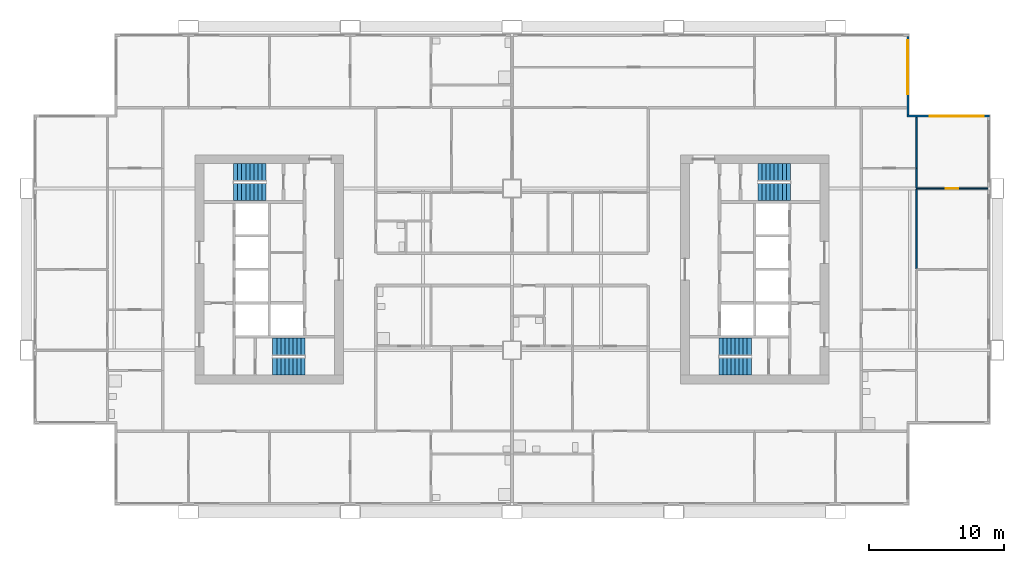
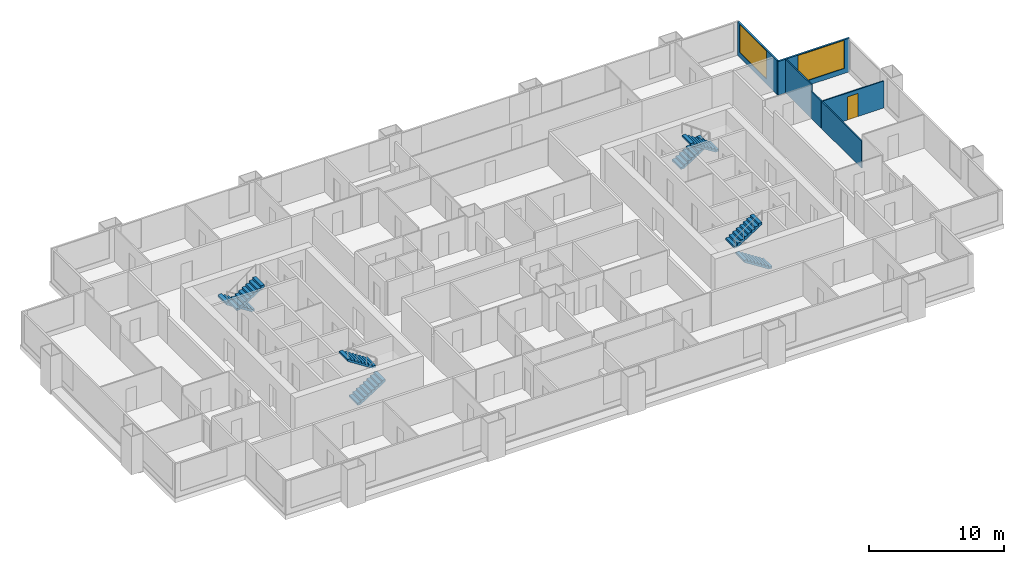
# One storey, part 9 of 11: 8 stair flights, 6 walls, 2 windows, 1 door, 3 openings, 4 elements without a shape of their own.
"""IFC4 building model written with IfcOpenShell, lengths in metres."""

from ifc_helpers import new_model, si_unit, direction, frame, frame_2d, origin, place, context, subcontext, project, spatial, polyline, rectangle, outline, extrude, material, layer, layer_set, type_object, element, fill, aggregate, save


model = new_model("IFC4")

# Units and contexts
model_context = context("Model", 3, precision=1e-05, world=origin(), true_north=direction((0.0, 1.0)))
body_context = subcontext(model_context, "Body", "Model", "MODEL_VIEW")
ifc_project = project(units=[si_unit("LENGTHUNIT", "METRE"), si_unit("AREAUNIT", "SQUARE_METRE"), si_unit("VOLUMEUNIT", "CUBIC_METRE"), si_unit("PLANEANGLEUNIT", "RADIAN"), si_unit("MASSUNIT", "GRAM", prefix="KILO")], contexts=[model_context])

# Site, building, storey
site_placement = place(None, origin())
site = spatial("IfcSite", under=ifc_project, at=site_placement, CompositionType="ELEMENT")
building_placement = place(site_placement, origin())
building = spatial("IfcBuilding", under=site, at=building_placement, Name="Kitamizu Gate Tower and Museum", CompositionType="ELEMENT")
storey_placement = place(building_placement, frame((0.0, 0.0, 100.050048828125)))
storey = spatial("IfcBuildingStorey", under=building, at=storey_placement, Name="L25", CompositionType="ELEMENT", Elevation=100.050048828125)

# Wall, opening, door
ifc_material_1 = material(Name="Gypsum board on galvanised stud")
ifc_layer_1 = layer(ifc_material_1, 0.10009765625)
ifc_layer_set_1 = layer_set([ifc_layer_1], Name="Gypsum board on galvanised stud")
wall_type_1 = type_object("IfcWallType", Name="Partition 100 NOT RATED", PredefinedType="PARTITIONING", material=ifc_layer_set_1)
wall_1_placement = place(storey_placement, frame((71.280029296875, 36.0, 0.0), z_axis=(0.0, 0.0, 1.0), x_axis=(-1.0, 0.0, 0.0)))
wall_1 = element("IfcWall", 1, at=wall_1_placement, inside=storey, type_object=wall_type_1, Name="Partition L25-079", PredefinedType="PARTITIONING", context=body_context, shape_type="SweptSolid", body=[
    extrude(rectangle(XDim=5.280029296875, YDim=0.10009765625, at=frame_2d((2.64013671875, 0.0))), origin(), (0.0, 0.0, 1.0), 2.449951171875),
])
opening_1_placement = place(wall_1_placement, frame((2.18994140625, 0.0, 0.0)))
opening_1 = element("IfcOpeningElement", 2, at=opening_1_placement, cuts=wall_1, Name="Opening L25-034", PredefinedType="OPENING", context=body_context, shape_type="SweptSolid", body=[
    extrude(rectangle(XDim=0.89990234375, YDim=2.10009765625, at=frame_2d((0.449951171875, 1.050048828125))), frame((0.0, 0.06005859375, 0.0), z_axis=(0.0, -1.0, 0.0), x_axis=(1.0, 0.0, 0.0)), (0.0, 0.0, 1.0), 0.1201171875),
])
ifc_material_2 = material(Name="Timber door set", Category="wood")
door_type = type_object("IfcDoorType", Name="Room door 900", OperationType="NOTDEFINED", PredefinedType="DOOR", material=ifc_material_2)
door_placement = place(opening_1_placement, frame((0.89990234375, 0.0, 0.0), x_axis=(-1.0, 0.0, 0.0)))
door = element("IfcDoor", 3, at=door_placement, inside=storey, type_object=door_type, Name="Door L25-034", OperationType="SINGLE_SWING_LEFT", OverallHeight=2.10009765625, OverallWidth=0.89990234375, PredefinedType="DOOR", context=body_context, shape_type="SweptSolid", body=[
    extrude(rectangle(XDim=0.89990234375, YDim=2.10009765625, at=frame_2d((0.449951171875, 1.050048828125))), frame((0.0, 0.02490234375, 0.0), z_axis=(0.0, -1.0, 0.0), x_axis=(1.0, 0.0, 0.0)), (0.0, 0.0, 1.0), 0.050048828125),
])
fill(opening_1, door)

# Walls
wall_2_placement = place(storey_placement, frame((66.0, 35.949951171875, 0.0), z_axis=(0.0, 0.0, 1.0), x_axis=(0.0, -1.0, 0.0)))
element("IfcWall", 4, at=wall_2_placement, inside=storey, type_object=wall_type_1, Name="Partition L25-080", PredefinedType="PARTITIONING", context=body_context, shape_type="SweptSolid", body=[
    extrude(rectangle(XDim=5.89990234375, YDim=0.10009765625, at=frame_2d((2.949951171875, 0.0))), origin(), (0.0, 0.0, 1.0), 2.449951171875),
])
wall_3_placement = place(storey_placement, frame((66.0, 37.5, 0.0), z_axis=(0.0, 0.0, 1.0), x_axis=(0.0, -1.0, 0.0)))
element("IfcWall", 5, at=wall_3_placement, inside=storey, type_object=wall_type_1, Name="Partition L25-081", PredefinedType="PARTITIONING", context=body_context, shape_type="SweptSolid", body=[
    extrude(rectangle(XDim=1.449951171875, YDim=0.10009765625, at=frame_2d((0.72509765625, 0.0))), origin(), (0.0, 0.0, 1.0), 2.449951171875),
])
wall_4_placement = place(storey_placement, frame((66.0, 41.280029296875, 0.0), z_axis=(0.0, 0.0, 1.0), x_axis=(0.0, -1.0, 0.0)))
element("IfcWall", 6, at=wall_4_placement, inside=storey, type_object=wall_type_1, Name="Partition L25-082", PredefinedType="PARTITIONING", context=body_context, shape_type="SweptSolid", body=[
    extrude(rectangle(XDim=3.780029296875, YDim=0.10009765625, at=frame_2d((1.89013671875, 0.0))), origin(), (0.0, 0.0, 1.0), 3.050048828125),
])

# Wall, opening, window
ifc_material_3 = material(Name="Bronze anodised aluminium frame with insulated spandrel and tinted glass", Category="aluminium")
ifc_layer_2 = layer(ifc_material_3, 0.14990234375)
ifc_layer_set_2 = layer_set([ifc_layer_2], Name="Bronze anodised aluminium frame with insulated spandrel and tinted glass")
wall_type_2 = type_object("IfcWallType", Name="WINDOW WALL 150 BRONZE FRAME EI 30", PredefinedType="ELEMENTEDWALL", material=ifc_layer_set_2)
wall_5_placement = place(storey_placement, frame((65.2900390625, 41.364990234375, 0.0), z_axis=(0.0, 0.0, 1.0), x_axis=(1.0, 0.0, 0.0)))
wall_5 = element("IfcWall", 7, at=wall_5_placement, inside=storey, type_object=wall_type_2, Name="Window wall north L25", PredefinedType="ELEMENTEDWALL", context=body_context, shape_type="SweptSolid", body=[
    extrude(rectangle(XDim=6.14990234375, YDim=0.14990234375, at=frame_2d((3.074951171875, 0.0))), origin(), (0.0, 0.0, 1.0), 3.050048828125),
])
opening_2_placement = place(wall_5_placement, frame((1.7099609375, 0.0, 0.449951171875)))
opening_2 = element("IfcOpeningElement", 8, at=opening_2_placement, cuts=wall_5, Name="Opening W16", PredefinedType="OPENING", context=body_context, shape_type="SweptSolid", body=[
    extrude(rectangle(XDim=4.0, YDim=2.550048828125, at=frame_2d((2.0, 1.27490234375))), frame((0.0, 0.0849609375, 0.0), z_axis=(0.0, -1.0, 0.0), x_axis=(1.0, 0.0, 0.0)), (0.0, 0.0, 1.0), 0.169921875),
])
ifc_material_4 = material(Name="Bronze anodised aluminium frame, tinted triple glazing", Category="aluminium")
window_type = type_object("IfcWindowType", Name="WINDOW 4000 x 2550 SILL 450", PartitioningType="SINGLE_PANEL", PredefinedType="WINDOW", material=ifc_material_4)
window_1_placement = place(opening_2_placement, origin())
window_1 = element("IfcWindow", 9, at=window_1_placement, inside=storey, type_object=window_type, Name="Window W16 L25", OverallHeight=2.550048828125, OverallWidth=4.0, PartitioningType="SINGLE_PANEL", PredefinedType="WINDOW", context=body_context, shape_type="SweptSolid", body=[
    extrude(rectangle(XDim=4.0, YDim=2.550048828125, at=frame_2d((2.0, 1.27490234375))), frame((0.0, 0.030029296875, 0.0), z_axis=(0.0, -1.0, 0.0), x_axis=(1.0, 0.0, 0.0)), (0.0, 0.0, 1.0), 0.06005859375),
])
fill(opening_2, window_1)

wall_6_placement = place(storey_placement, frame((65.364990234375, 41.43994140625, 0.0), z_axis=(0.0, 0.0, 1.0), x_axis=(0.0, 1.0, 0.0)))
wall_6 = element("IfcWall", 10, at=wall_6_placement, inside=storey, type_object=wall_type_2, Name="Window wall east L25", PredefinedType="ELEMENTEDWALL", context=body_context, shape_type="SweptSolid", body=[
    extrude(rectangle(XDim=5.85009765625, YDim=0.14990234375, at=frame_2d((2.925048828125, 0.0))), origin(), (0.0, 0.0, 1.0), 3.050048828125),
])
opening_3_placement = place(wall_6_placement, frame((1.56005859375, 0.0, 0.449951171875)))
opening_3 = element("IfcOpeningElement", 11, at=opening_3_placement, cuts=wall_6, Name="Opening W16", PredefinedType="OPENING", context=body_context, shape_type="SweptSolid", body=[
    extrude(rectangle(XDim=4.0, YDim=2.550048828125, at=frame_2d((2.0, 1.27490234375))), frame((0.0, 0.0849609375, 0.0), z_axis=(0.0, -1.0, 0.0), x_axis=(1.0, 0.0, 0.0)), (0.0, 0.0, 1.0), 0.169921875),
])
window_2_placement = place(opening_3_placement, origin())
window_2 = element("IfcWindow", 12, at=window_2_placement, inside=storey, type_object=window_type, Name="Window W16 L25", OverallHeight=2.550048828125, OverallWidth=4.0, PartitioningType="SINGLE_PANEL", PredefinedType="WINDOW", context=body_context, shape_type="SweptSolid", body=[
    extrude(rectangle(XDim=4.0, YDim=2.550048828125, at=frame_2d((2.0, 1.27490234375))), frame((0.0, 0.030029296875, 0.0), z_axis=(0.0, -1.0, 0.0), x_axis=(1.0, 0.0, 0.0)), (0.0, 0.0, 1.0), 0.06005859375),
])
fill(opening_3, window_2)

# Stair, stair flights
ifc_material_5 = material(Name="Concrete Fc42", Category="concrete")
stair_type = type_object("IfcStairType", Name="Exit stair 1275 wide 192 rise 300 going", PredefinedType="HALF_TURN_STAIR", material=ifc_material_5)
stair_1_placement = place(storey_placement, origin())
stair_1 = element("IfcStair", 13, at=stair_1_placement, inside=storey, type_object=stair_type, Name="Exit stair ST1", PredefinedType="HALF_TURN_STAIR")
ifc_material_6 = material(Name="Concrete Fc42", Category="concrete")
stair_flight_type = type_object("IfcStairFlightType", Name="Stair flight 1275 wide 192 rise 300 going", PredefinedType="STRAIGHT", material=ifc_material_6)
stair_flight_1_placement = place(storey_placement, frame((18.25, 22.78759765625, 0.0), z_axis=(0.0, 0.0, 1.0), x_axis=(1.0, 0.0, 0.0)))
stair_flight_1 = element("IfcStairFlight", 14, at=stair_flight_1_placement, type_object=stair_flight_type, Name="ST1 flight 1", NumberOfRisers=9, NumberOfTreads=8, PredefinedType="STRAIGHT", RiserHeight=0.191666667, TreadLength=0.3, context=body_context, shape_type="SweptSolid", body=[
    extrude(outline(polyline([(0.0, 0.0), (0.0, 0.191650390625), (0.300048828125, 0.191650390625), (0.300048828125, 0.38330078125), (0.60009765625, 0.38330078125), (0.60009765625, 0.574951171875), (0.89990234375, 0.574951171875), (0.89990234375, 0.7666015625), (1.199951171875, 0.7666015625), (1.199951171875, 0.958251953125), (1.5, 0.958251953125), (1.5, 1.14990234375), (1.800048828125, 1.14990234375), (1.800048828125, 1.341552734375), (2.10009765625, 1.341552734375), (2.10009765625, 1.533447265625), (2.39990234375, 1.533447265625), (2.39990234375, 1.72509765625), (2.39990234375, 1.35546875), (0.2783203125, 0.0), (0.0, 0.0)])), frame((0.0, 0.637451171875, 0.0), z_axis=(0.0, -1.0, 0.0), x_axis=(1.0, 0.0, 0.0)), (0.0, 0.0, 1.0), 1.27490234375),
])
stair_flight_2_placement = place(storey_placement, frame((20.64990234375, 24.262451171875, 1.724853515625), z_axis=(0.0, 0.0, 1.0), x_axis=(-1.0, 0.0, 0.0)))
stair_flight_2 = element("IfcStairFlight", 15, at=stair_flight_2_placement, type_object=stair_flight_type, Name="ST1 flight 2", NumberOfRisers=9, NumberOfTreads=8, PredefinedType="STRAIGHT", RiserHeight=0.191666667, TreadLength=0.3, context=body_context, shape_type="SweptSolid", body=[
    extrude(outline(polyline([(0.0, 0.0), (0.0, 0.191650390625), (0.300048828125, 0.191650390625), (0.300048828125, 0.38330078125), (0.60009765625, 0.38330078125), (0.60009765625, 0.574951171875), (0.89990234375, 0.574951171875), (0.89990234375, 0.7666015625), (1.199951171875, 0.7666015625), (1.199951171875, 0.958251953125), (1.5, 0.958251953125), (1.5, 1.14990234375), (1.800048828125, 1.14990234375), (1.800048828125, 1.341552734375), (2.10009765625, 1.341552734375), (2.10009765625, 1.533447265625), (2.39990234375, 1.533447265625), (2.39990234375, 1.72509765625), (2.39990234375, 1.35546875), (0.2783203125, 0.0), (0.0, 0.0)])), frame((0.0, 0.637451171875, 0.0), z_axis=(0.0, -1.0, 0.0), x_axis=(1.0, 0.0, 0.0)), (0.0, 0.0, 1.0), 1.27490234375),
])
aggregate(stair_1, [stair_flight_1, stair_flight_2])

stair_2_placement = place(storey_placement, origin())
stair_2 = element("IfcStair", 16, at=stair_2_placement, inside=storey, type_object=stair_type, Name="Exit stair ST2", PredefinedType="HALF_TURN_STAIR")
stair_flight_3_placement = place(storey_placement, frame((17.75, 37.21240234375, 0.0), z_axis=(0.0, 0.0, 1.0), x_axis=(-1.0, 0.0, 0.0)))
stair_flight_3 = element("IfcStairFlight", 17, at=stair_flight_3_placement, type_object=stair_flight_type, Name="ST2 flight 1", NumberOfRisers=9, NumberOfTreads=8, PredefinedType="STRAIGHT", RiserHeight=0.191666667, TreadLength=0.3, context=body_context, shape_type="SweptSolid", body=[
    extrude(outline(polyline([(0.0, 0.0), (0.0, 0.191650390625), (0.300048828125, 0.191650390625), (0.300048828125, 0.38330078125), (0.60009765625, 0.38330078125), (0.60009765625, 0.574951171875), (0.89990234375, 0.574951171875), (0.89990234375, 0.7666015625), (1.199951171875, 0.7666015625), (1.199951171875, 0.958251953125), (1.5, 0.958251953125), (1.5, 1.14990234375), (1.800048828125, 1.14990234375), (1.800048828125, 1.341552734375), (2.10009765625, 1.341552734375), (2.10009765625, 1.533447265625), (2.39990234375, 1.533447265625), (2.39990234375, 1.72509765625), (2.39990234375, 1.35546875), (0.2783203125, 0.0), (0.0, 0.0)])), frame((0.0, 0.637451171875, 0.0), z_axis=(0.0, -1.0, 0.0), x_axis=(1.0, 0.0, 0.0)), (0.0, 0.0, 1.0), 1.27490234375),
])
stair_flight_4_placement = place(storey_placement, frame((15.35009765625, 35.737548828125, 1.724853515625), z_axis=(0.0, 0.0, 1.0), x_axis=(1.0, 0.0, 0.0)))
stair_flight_4 = element("IfcStairFlight", 18, at=stair_flight_4_placement, type_object=stair_flight_type, Name="ST2 flight 2", NumberOfRisers=9, NumberOfTreads=8, PredefinedType="STRAIGHT", RiserHeight=0.191666667, TreadLength=0.3, context=body_context, shape_type="SweptSolid", body=[
    extrude(outline(polyline([(0.0, 0.0), (0.0, 0.191650390625), (0.300048828125, 0.191650390625), (0.300048828125, 0.38330078125), (0.60009765625, 0.38330078125), (0.60009765625, 0.574951171875), (0.89990234375, 0.574951171875), (0.89990234375, 0.7666015625), (1.199951171875, 0.7666015625), (1.199951171875, 0.958251953125), (1.5, 0.958251953125), (1.5, 1.14990234375), (1.800048828125, 1.14990234375), (1.800048828125, 1.341552734375), (2.10009765625, 1.341552734375), (2.10009765625, 1.533447265625), (2.39990234375, 1.533447265625), (2.39990234375, 1.72509765625), (2.39990234375, 1.35546875), (0.2783203125, 0.0), (0.0, 0.0)])), frame((0.0, 0.637451171875, 0.0), z_axis=(0.0, -1.0, 0.0), x_axis=(1.0, 0.0, 0.0)), (0.0, 0.0, 1.0), 1.27490234375),
])
aggregate(stair_2, [stair_flight_3, stair_flight_4])

stair_3_placement = place(storey_placement, origin())
stair_3 = element("IfcStair", 19, at=stair_3_placement, inside=storey, type_object=stair_type, Name="Exit stair ST3", PredefinedType="HALF_TURN_STAIR")
stair_flight_5_placement = place(storey_placement, frame((53.75, 22.78759765625, 0.0), z_axis=(0.0, 0.0, 1.0), x_axis=(-1.0, 0.0, 0.0)))
stair_flight_5 = element("IfcStairFlight", 20, at=stair_flight_5_placement, type_object=stair_flight_type, Name="ST3 flight 1", NumberOfRisers=9, NumberOfTreads=8, PredefinedType="STRAIGHT", RiserHeight=0.191666667, TreadLength=0.3, context=body_context, shape_type="SweptSolid", body=[
    extrude(outline(polyline([(0.0, 0.0), (0.0, 0.191650390625), (0.300048828125, 0.191650390625), (0.300048828125, 0.38330078125), (0.60009765625, 0.38330078125), (0.60009765625, 0.574951171875), (0.89990234375, 0.574951171875), (0.89990234375, 0.7666015625), (1.199951171875, 0.7666015625), (1.199951171875, 0.958251953125), (1.5, 0.958251953125), (1.5, 1.14990234375), (1.800048828125, 1.14990234375), (1.800048828125, 1.341552734375), (2.10009765625, 1.341552734375), (2.10009765625, 1.533447265625), (2.39990234375, 1.533447265625), (2.39990234375, 1.72509765625), (2.39990234375, 1.35546875), (0.2783203125, 0.0), (0.0, 0.0)])), frame((0.0, 0.637451171875, 0.0), z_axis=(0.0, -1.0, 0.0), x_axis=(1.0, 0.0, 0.0)), (0.0, 0.0, 1.0), 1.27490234375),
])
stair_flight_6_placement = place(storey_placement, frame((51.35009765625, 24.262451171875, 1.724853515625), z_axis=(0.0, 0.0, 1.0), x_axis=(1.0, 0.0, 0.0)))
stair_flight_6 = element("IfcStairFlight", 21, at=stair_flight_6_placement, type_object=stair_flight_type, Name="ST3 flight 2", NumberOfRisers=9, NumberOfTreads=8, PredefinedType="STRAIGHT", RiserHeight=0.191666667, TreadLength=0.3, context=body_context, shape_type="SweptSolid", body=[
    extrude(outline(polyline([(0.0, 0.0), (0.0, 0.191650390625), (0.300048828125, 0.191650390625), (0.300048828125, 0.38330078125), (0.60009765625, 0.38330078125), (0.60009765625, 0.574951171875), (0.89990234375, 0.574951171875), (0.89990234375, 0.7666015625), (1.199951171875, 0.7666015625), (1.199951171875, 0.958251953125), (1.5, 0.958251953125), (1.5, 1.14990234375), (1.800048828125, 1.14990234375), (1.800048828125, 1.341552734375), (2.10009765625, 1.341552734375), (2.10009765625, 1.533447265625), (2.39990234375, 1.533447265625), (2.39990234375, 1.72509765625), (2.39990234375, 1.35546875), (0.2783203125, 0.0), (0.0, 0.0)])), frame((0.0, 0.637451171875, 0.0), z_axis=(0.0, -1.0, 0.0), x_axis=(1.0, 0.0, 0.0)), (0.0, 0.0, 1.0), 1.27490234375),
])
aggregate(stair_3, [stair_flight_5, stair_flight_6])

stair_4_placement = place(storey_placement, origin())
stair_4 = element("IfcStair", 22, at=stair_4_placement, inside=storey, type_object=stair_type, Name="Exit stair ST4", PredefinedType="HALF_TURN_STAIR")
stair_flight_7_placement = place(storey_placement, frame((54.25, 37.21240234375, 0.0), z_axis=(0.0, 0.0, 1.0), x_axis=(1.0, 0.0, 0.0)))
stair_flight_7 = element("IfcStairFlight", 23, at=stair_flight_7_placement, type_object=stair_flight_type, Name="ST4 flight 1", NumberOfRisers=9, NumberOfTreads=8, PredefinedType="STRAIGHT", RiserHeight=0.191666667, TreadLength=0.3, context=body_context, shape_type="SweptSolid", body=[
    extrude(outline(polyline([(0.0, 0.0), (0.0, 0.191650390625), (0.300048828125, 0.191650390625), (0.300048828125, 0.38330078125), (0.60009765625, 0.38330078125), (0.60009765625, 0.574951171875), (0.89990234375, 0.574951171875), (0.89990234375, 0.7666015625), (1.199951171875, 0.7666015625), (1.199951171875, 0.958251953125), (1.5, 0.958251953125), (1.5, 1.14990234375), (1.800048828125, 1.14990234375), (1.800048828125, 1.341552734375), (2.10009765625, 1.341552734375), (2.10009765625, 1.533447265625), (2.39990234375, 1.533447265625), (2.39990234375, 1.72509765625), (2.39990234375, 1.35546875), (0.2783203125, 0.0), (0.0, 0.0)])), frame((0.0, 0.637451171875, 0.0), z_axis=(0.0, -1.0, 0.0), x_axis=(1.0, 0.0, 0.0)), (0.0, 0.0, 1.0), 1.27490234375),
])
stair_flight_8_placement = place(storey_placement, frame((56.64990234375, 35.737548828125, 1.724853515625), z_axis=(0.0, 0.0, 1.0), x_axis=(-1.0, 0.0, 0.0)))
stair_flight_8 = element("IfcStairFlight", 24, at=stair_flight_8_placement, type_object=stair_flight_type, Name="ST4 flight 2", NumberOfRisers=9, NumberOfTreads=8, PredefinedType="STRAIGHT", RiserHeight=0.191666667, TreadLength=0.3, context=body_context, shape_type="SweptSolid", body=[
    extrude(outline(polyline([(0.0, 0.0), (0.0, 0.191650390625), (0.300048828125, 0.191650390625), (0.300048828125, 0.38330078125), (0.60009765625, 0.38330078125), (0.60009765625, 0.574951171875), (0.89990234375, 0.574951171875), (0.89990234375, 0.7666015625), (1.199951171875, 0.7666015625), (1.199951171875, 0.958251953125), (1.5, 0.958251953125), (1.5, 1.14990234375), (1.800048828125, 1.14990234375), (1.800048828125, 1.341552734375), (2.10009765625, 1.341552734375), (2.10009765625, 1.533447265625), (2.39990234375, 1.533447265625), (2.39990234375, 1.72509765625), (2.39990234375, 1.35546875), (0.2783203125, 0.0), (0.0, 0.0)])), frame((0.0, 0.637451171875, 0.0), z_axis=(0.0, -1.0, 0.0), x_axis=(1.0, 0.0, 0.0)), (0.0, 0.0, 1.0), 1.27490234375),
])
aggregate(stair_4, [stair_flight_7, stair_flight_8])

save(model, "model.ifc")
